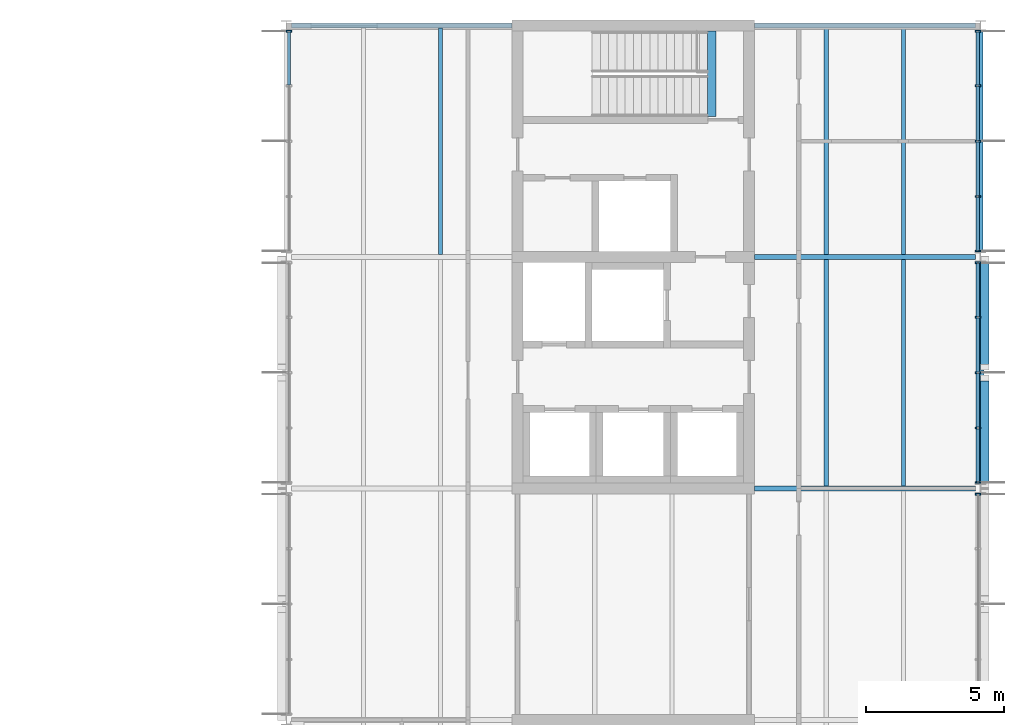
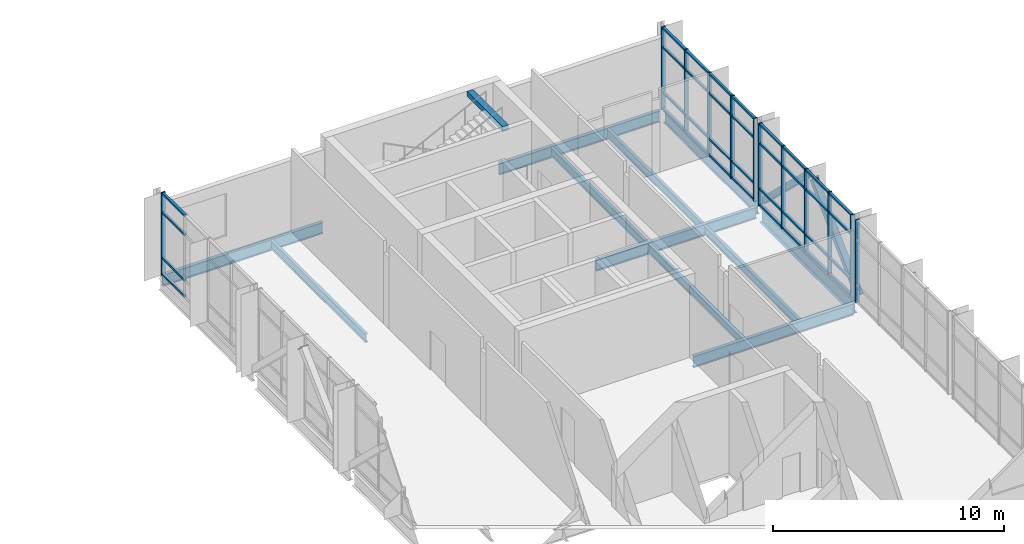
# One storey, part 6 of 14: 50 members, 12 beams, 4 elements without a shape of their own.
"""IFC4 building model written with IfcOpenShell, lengths in metres."""

from ifc_helpers import new_model, si_unit, direction, frame, origin, origin_2d, place, context, subcontext, project, spatial, rectangle, hollow_rectangle, i_section, extrude, material, material_profile, profile_set, type_object, element, aggregate, save


model = new_model("IFC4")

# Units and contexts
model_context = context("Model", 3, precision=1e-05, world=origin(), true_north=direction((0.0, 1.0)))
body_context = subcontext(model_context, "Body", "Model", "MODEL_VIEW")
ifc_project = project(units=[si_unit("LENGTHUNIT", "METRE"), si_unit("AREAUNIT", "SQUARE_METRE"), si_unit("VOLUMEUNIT", "CUBIC_METRE"), si_unit("PLANEANGLEUNIT", "RADIAN"), si_unit("MASSUNIT", "GRAM", prefix="KILO")], contexts=[model_context])

# Site, building, storey
site_placement = place(None, origin())
site = spatial("IfcSite", under=ifc_project, at=site_placement, CompositionType="ELEMENT")
building_placement = place(site_placement, origin())
building = spatial("IfcBuilding", under=site, at=building_placement, Name="Hlaing Beacon Police Headquarters", CompositionType="ELEMENT")
storey_placement = place(building_placement, frame((0.0, 0.0, 27.89990234375)))
storey = spatial("IfcBuildingStorey", under=building, at=storey_placement, Name="L06", CompositionType="ELEMENT", Elevation=27.89990234375)

# Members
ifc_material_1 = material(Name="Steel ASTM A500 Grade C", Category="steel")
ifc_material_profile_1 = material_profile(ifc_material_1, hollow_rectangle(XDim=0.3046875, YDim=0.3046875, WallThickness=0.009521484375, at=origin_2d()), Name="HSS12x12x3/8")
ifc_profile_set_1 = profile_set([ifc_material_profile_1], Name="Steel ASTM A500 Grade C")
member_type_1 = type_object("IfcMemberType", Name="Chevron brace HSS12x12x3/8", PredefinedType="BRACE", material=ifc_profile_set_1)
for number, where, z_axis, x_axis, name in (
    (1, (126.156494140625, 50.47802734375, 0.110107421875), (0.0, 0.720186628496, 0.693780383216), (-1.0, 0.0, 0.0), "STR-BR-L06-R7a"),
    (2, (126.156494140625, 58.721923828125, 0.110107421875), (0.0, -0.720186628496, 0.693780383216), (1.0, 0.0, 0.0), "STR-BR-L06-R7b"),
):
    element("IfcMember", number, at=place(storey_placement, frame(where, z_axis=z_axis, x_axis=x_axis)), inside=storey, type_object=member_type_1, Name=name, PredefinedType="BRACE", context=body_context, shape_type="SweptSolid", body=[
        extrude(hollow_rectangle(XDim=0.3046875, YDim=0.3046875, WallThickness=0.009521484375, at=origin_2d()), origin(), (0.0, 0.0, 1.0), 5.445556640625),
    ])

# Beams
ifc_material_2 = material(Name="Steel ASTM A992 Grade 50", Category="steel")
ifc_material_profile_2 = material_profile(ifc_material_2, i_section(OverallWidth=0.177978515625, OverallDepth=0.599365234375, WebThickness=0.010009765625, FlangeThickness=0.012939453125, FilletRadius=0.012939453125, at=origin_2d()), Name="W24x55")
ifc_profile_set_2 = profile_set([ifc_material_profile_2], Name="Steel ASTM A992 Grade 50")
beam_type_1 = type_object("IfcBeamType", Name="Girder W24x55", PredefinedType="BEAM", material=ifc_profile_set_2)
for number, where, z_axis, x_axis, name in (
    (3, (117.800048828125, 50.39990234375, -0.4296875), (1.0, 0.0, 0.0), (0.0, 1.0, 0.0), "STR-BM-L06-GX-Q7-R7"),
    (4, (117.800048828125, 58.800048828125, -0.4296875), (1.0, 0.0, 0.0), (0.0, 1.0, 0.0), "STR-BM-L06-GX-Q8-R8"),
):
    element("IfcBeam", number, at=place(storey_placement, frame(where, z_axis=z_axis, x_axis=x_axis)), inside=storey, type_object=beam_type_1, Name=name, PredefinedType="BEAM", context=body_context, shape_type="SweptSolid", body=[
        extrude(i_section(OverallWidth=0.177978515625, OverallDepth=0.599365234375, WebThickness=0.010009765625, FlangeThickness=0.012939453125, FilletRadius=0.012939453125, at=origin_2d()), origin(), (0.0, 0.0, 1.0), 8.012939453125),
    ])
for number, where, z_axis, x_axis, name in (
    (5, (100.985107421875, 67.199951171875, -0.4296875), (1.0, 0.0, 0.0), (0.0, 1.0, 0.0), "STR-BM-L06-GX-N9-P9"),
    (6, (117.800048828125, 67.199951171875, -0.4296875), (1.0, 0.0, 0.0), (0.0, 1.0, 0.0), "STR-BM-L06-GX-Q9-R9"),
):
    element("IfcBeam", number, at=place(storey_placement, frame(where, z_axis=z_axis, x_axis=x_axis)), inside=storey, type_object=beam_type_1, Name=name, PredefinedType="BEAM", context=body_context, shape_type="SweptSolid", body=[
        extrude(i_section(OverallWidth=0.177978515625, OverallDepth=0.599365234375, WebThickness=0.010009765625, FlangeThickness=0.012939453125, FilletRadius=0.012939453125, at=origin_2d()), origin(), (0.0, 0.0, 1.0), 8.014892578125),
    ])
beam_1_placement = place(storey_placement, frame((126.0, 58.987060546875, -0.4296875), z_axis=(0.0, 1.0, 0.0), x_axis=(-1.0, 0.0, 0.0)))
element("IfcBeam", 7, at=beam_1_placement, inside=storey, type_object=beam_type_1, Name="STR-BM-L06-GY-R8-R9", PredefinedType="BEAM", context=body_context, shape_type="SweptSolid", body=[
    extrude(i_section(OverallWidth=0.177978515625, OverallDepth=0.599365234375, WebThickness=0.010009765625, FlangeThickness=0.012939453125, FilletRadius=0.012939453125, at=origin_2d()), origin(), (0.0, 0.0, 1.0), 8.031005859375),
])
ifc_material_3 = material(Name="Steel ASTM A992 Grade 50", Category="steel")
ifc_material_profile_3 = material_profile(ifc_material_3, i_section(OverallWidth=0.2666015625, OverallDepth=0.75439453125, WebThickness=0.01318359375, FlangeThickness=0.01708984375, FilletRadius=0.0166015625, at=origin_2d()), Name="W30x99")
ifc_profile_set_3 = profile_set([ifc_material_profile_3], Name="Steel ASTM A992 Grade 50")
beam_type_2 = type_object("IfcBeamType", Name="Girder W30x99", PredefinedType="BEAM", material=ifc_profile_set_3)
beam_2_placement = place(storey_placement, frame((126.0, 50.5869140625, -0.507080078125), z_axis=(0.0, 1.0, 0.0), x_axis=(-1.0, 0.0, 0.0)))
element("IfcBeam", 8, at=beam_2_placement, inside=storey, type_object=beam_type_2, Name="STR-BM-L06-GY-R7-R8", PredefinedType="BEAM", context=body_context, shape_type="SweptSolid", body=[
    extrude(i_section(OverallWidth=0.2666015625, OverallDepth=0.75439453125, WebThickness=0.01318359375, FlangeThickness=0.01708984375, FilletRadius=0.0166015625, at=origin_2d()), origin(), (0.0, 0.0, 1.0), 8.026123046875),
])

# Curtain wall, member
ifc_material_4 = material(Name="Aluminium frame with solar control glazing", Category="aluminium")
curtain_wall_type = type_object("IfcCurtainWallType", Name="Unitised curtain wall 8.04 x 4.37", PredefinedType="NOTDEFINED", material=ifc_material_4)
curtain_wall_1_placement = place(storey_placement, origin())
curtain_wall_1 = element("IfcCurtainWall", 9, at=curtain_wall_1_placement, inside=storey, type_object=curtain_wall_type, Name="ENV-CW-L06-E002", PredefinedType="NOTDEFINED")
ifc_material_5 = material(Name="Aluminium", Category="aluminium")
ifc_material_profile_4 = material_profile(ifc_material_5, rectangle(XDim=0.199951171875, YDim=0.06005859375, at=origin_2d()), Name="Mullion 60x200")
ifc_profile_set_4 = profile_set([ifc_material_profile_4], Name="Aluminium")
member_type_2 = type_object("IfcMemberType", Name="Mullion 60x200", PredefinedType="MULLION", material=ifc_profile_set_4)
member_1_placement = place(storey_placement, frame((125.89990234375, 50.1884765625, 0.0), z_axis=(0.0, 0.0, 1.0), x_axis=(-1.0, 0.0, 0.0)))
member_1 = element("IfcMember", 10, at=member_1_placement, type_object=member_type_2, Name="CW-L06-E002 mullion 5", PredefinedType="MULLION", context=body_context, shape_type="SweptSolid", body=[
    extrude(rectangle(XDim=0.199951171875, YDim=0.06005859375, at=origin_2d()), origin(), (0.0, 0.0, 1.0), 4.3701171875),
])
aggregate(curtain_wall_1, [member_1])

# Curtain wall, members
curtain_wall_2_placement = place(storey_placement, origin())
curtain_wall_2 = element("IfcCurtainWall", 11, at=curtain_wall_2_placement, inside=storey, type_object=curtain_wall_type, Name="ENV-CW-L06-E003", PredefinedType="NOTDEFINED")
member_2_placement = place(storey_placement, frame((125.89990234375, 50.611572265625, 0.0), z_axis=(0.0, 0.0, 1.0), x_axis=(-1.0, 0.0, 0.0)))
member_2 = element("IfcMember", 12, at=member_2_placement, type_object=member_type_2, Name="CW-L06-E003 mullion 1", PredefinedType="MULLION", context=body_context, shape_type="SweptSolid", body=[
    extrude(rectangle(XDim=0.199951171875, YDim=0.06005859375, at=origin_2d()), origin(), (0.0, 0.0, 1.0), 4.3701171875),
])
member_3_placement = place(storey_placement, frame((125.89990234375, 52.5908203125, 0.0), z_axis=(0.0, 0.0, 1.0), x_axis=(-1.0, 0.0, 0.0)))
member_3 = element("IfcMember", 13, at=member_3_placement, type_object=member_type_2, Name="CW-L06-E003 mullion 2", PredefinedType="MULLION", context=body_context, shape_type="SweptSolid", body=[
    extrude(rectangle(XDim=0.199951171875, YDim=0.06005859375, at=origin_2d()), origin(), (0.0, 0.0, 1.0), 4.3701171875),
])
member_4_placement = place(storey_placement, frame((125.89990234375, 54.60009765625, 0.0), z_axis=(0.0, 0.0, 1.0), x_axis=(-1.0, 0.0, 0.0)))
member_4 = element("IfcMember", 14, at=member_4_placement, type_object=member_type_2, Name="CW-L06-E003 mullion 3", PredefinedType="MULLION", context=body_context, shape_type="SweptSolid", body=[
    extrude(rectangle(XDim=0.199951171875, YDim=0.06005859375, at=origin_2d()), origin(), (0.0, 0.0, 1.0), 4.3701171875),
])
member_5_placement = place(storey_placement, frame((125.89990234375, 56.609130859375, 0.0), z_axis=(0.0, 0.0, 1.0), x_axis=(-1.0, 0.0, 0.0)))
member_5 = element("IfcMember", 15, at=member_5_placement, type_object=member_type_2, Name="CW-L06-E003 mullion 4", PredefinedType="MULLION", context=body_context, shape_type="SweptSolid", body=[
    extrude(rectangle(XDim=0.199951171875, YDim=0.06005859375, at=origin_2d()), origin(), (0.0, 0.0, 1.0), 4.3701171875),
])
member_6_placement = place(storey_placement, frame((125.89990234375, 58.58837890625, 0.0), z_axis=(0.0, 0.0, 1.0), x_axis=(-1.0, 0.0, 0.0)))
member_6 = element("IfcMember", 16, at=member_6_placement, type_object=member_type_2, Name="CW-L06-E003 mullion 5", PredefinedType="MULLION", context=body_context, shape_type="SweptSolid", body=[
    extrude(rectangle(XDim=0.199951171875, YDim=0.06005859375, at=origin_2d()), origin(), (0.0, 0.0, 1.0), 4.3701171875),
])

curtain_wall_3_placement = place(storey_placement, origin())
curtain_wall_3 = element("IfcCurtainWall", 17, at=curtain_wall_3_placement, inside=storey, type_object=curtain_wall_type, Name="ENV-CW-L06-E004", PredefinedType="NOTDEFINED")
member_7_placement = place(storey_placement, frame((125.89990234375, 59.01171875, 0.0), z_axis=(0.0, 0.0, 1.0), x_axis=(-1.0, 0.0, 0.0)))
member_7 = element("IfcMember", 18, at=member_7_placement, type_object=member_type_2, Name="CW-L06-E004 mullion 1", PredefinedType="MULLION", context=body_context, shape_type="SweptSolid", body=[
    extrude(rectangle(XDim=0.199951171875, YDim=0.06005859375, at=origin_2d()), origin(), (0.0, 0.0, 1.0), 4.3701171875),
])
member_8_placement = place(storey_placement, frame((125.89990234375, 60.99169921875, 0.0), z_axis=(0.0, 0.0, 1.0), x_axis=(-1.0, 0.0, 0.0)))
member_8 = element("IfcMember", 19, at=member_8_placement, type_object=member_type_2, Name="CW-L06-E004 mullion 2", PredefinedType="MULLION", context=body_context, shape_type="SweptSolid", body=[
    extrude(rectangle(XDim=0.199951171875, YDim=0.06005859375, at=origin_2d()), origin(), (0.0, 0.0, 1.0), 4.3701171875),
])
member_9_placement = place(storey_placement, frame((125.89990234375, 63.001953125, 0.0), z_axis=(0.0, 0.0, 1.0), x_axis=(-1.0, 0.0, 0.0)))
member_9 = element("IfcMember", 20, at=member_9_placement, type_object=member_type_2, Name="CW-L06-E004 mullion 3", PredefinedType="MULLION", context=body_context, shape_type="SweptSolid", body=[
    extrude(rectangle(XDim=0.199951171875, YDim=0.06005859375, at=origin_2d()), origin(), (0.0, 0.0, 1.0), 4.3701171875),
])
member_10_placement = place(storey_placement, frame((125.89990234375, 65.011962890625, 0.0), z_axis=(0.0, 0.0, 1.0), x_axis=(-1.0, 0.0, 0.0)))
member_10 = element("IfcMember", 21, at=member_10_placement, type_object=member_type_2, Name="CW-L06-E004 mullion 4", PredefinedType="MULLION", context=body_context, shape_type="SweptSolid", body=[
    extrude(rectangle(XDim=0.199951171875, YDim=0.06005859375, at=origin_2d()), origin(), (0.0, 0.0, 1.0), 4.3701171875),
])
member_11_placement = place(storey_placement, frame((125.89990234375, 66.9921875, 0.0), z_axis=(0.0, 0.0, 1.0), x_axis=(-1.0, 0.0, 0.0)))
member_11 = element("IfcMember", 22, at=member_11_placement, type_object=member_type_2, Name="CW-L06-E004 mullion 5", PredefinedType="MULLION", context=body_context, shape_type="SweptSolid", body=[
    extrude(rectangle(XDim=0.199951171875, YDim=0.06005859375, at=origin_2d()), origin(), (0.0, 0.0, 1.0), 4.3701171875),
])

# Curtain wall, member
curtain_wall_4_placement = place(storey_placement, origin())
curtain_wall_4 = element("IfcCurtainWall", 23, at=curtain_wall_4_placement, inside=storey, type_object=curtain_wall_type, Name="ENV-CW-L06-W005", PredefinedType="NOTDEFINED")
member_12_placement = place(storey_placement, frame((100.89990234375, 66.9921875, 0.0), z_axis=(0.0, 0.0, 1.0), x_axis=(1.0, 0.0, 0.0)))
member_12 = element("IfcMember", 24, at=member_12_placement, type_object=member_type_2, Name="CW-L06-W005 mullion 1", PredefinedType="MULLION", context=body_context, shape_type="SweptSolid", body=[
    extrude(rectangle(XDim=0.199951171875, YDim=0.06005859375, at=origin_2d()), origin(), (0.0, 0.0, 1.0), 4.3701171875),
])

# Beams
ifc_material_6 = material(Name="Steel ASTM A992 Grade 50", Category="steel")
ifc_material_profile_5 = material_profile(ifc_material_6, i_section(OverallWidth=0.15234375, OverallDepth=0.449462890625, WebThickness=0.007568359375, FlangeThickness=0.0107421875, FilletRadius=0.01025390625, at=origin_2d()), Name="W18x35")
ifc_profile_set_5 = profile_set([ifc_material_profile_5], Name="Steel ASTM A992 Grade 50")
beam_type_3 = type_object("IfcBeamType", Name="Secondary beam W18x35", PredefinedType="BEAM", material=ifc_profile_set_5)
beam_3_placement = place(storey_placement, frame((106.39990234375, 58.888916015625, -0.354736328125), z_axis=(0.0, 1.0, 0.0), x_axis=(-1.0, 0.0, 0.0)))
element("IfcBeam", 25, at=beam_3_placement, inside=storey, type_object=beam_type_3, Name="STR-BM-L06-SB-N8-y2", PredefinedType="BEAM", context=body_context, shape_type="SweptSolid", body=[
    extrude(i_section(OverallWidth=0.15234375, OverallDepth=0.449462890625, WebThickness=0.007568359375, FlangeThickness=0.0107421875, FilletRadius=0.01025390625, at=origin_2d()), origin(), (0.0, 0.0, 1.0), 8.22216796875),
])
for number, where, z_axis, x_axis, name in (
    (26, (120.39990234375, 50.489013671875, -0.354736328125), (0.0, 1.0, 0.0), (-1.0, 0.0, 0.0), "STR-BM-L06-SB-Q7-y1"),
    (27, (123.199951171875, 50.489013671875, -0.354736328125), (0.0, 1.0, 0.0), (-1.0, 0.0, 0.0), "STR-BM-L06-SB-Q7-y2"),
):
    element("IfcBeam", number, at=place(storey_placement, frame(where, z_axis=z_axis, x_axis=x_axis)), inside=storey, type_object=beam_type_3, Name=name, PredefinedType="BEAM", context=body_context, shape_type="SweptSolid", body=[
        extrude(i_section(OverallWidth=0.15234375, OverallDepth=0.449462890625, WebThickness=0.007568359375, FlangeThickness=0.0107421875, FilletRadius=0.01025390625, at=origin_2d()), origin(), (0.0, 0.0, 1.0), 8.221923828125),
    ])
for number, where, z_axis, x_axis, name in (
    (28, (120.39990234375, 58.888916015625, -0.354736328125), (0.0, 1.0, 0.0), (-1.0, 0.0, 0.0), "STR-BM-L06-SB-Q8-y1"),
    (29, (123.199951171875, 58.888916015625, -0.354736328125), (0.0, 1.0, 0.0), (-1.0, 0.0, 0.0), "STR-BM-L06-SB-Q8-y2"),
):
    element("IfcBeam", number, at=place(storey_placement, frame(where, z_axis=z_axis, x_axis=x_axis)), inside=storey, type_object=beam_type_3, Name=name, PredefinedType="BEAM", context=body_context, shape_type="SweptSolid", body=[
        extrude(i_section(OverallWidth=0.15234375, OverallDepth=0.449462890625, WebThickness=0.007568359375, FlangeThickness=0.0107421875, FilletRadius=0.01025390625, at=origin_2d()), origin(), (0.0, 0.0, 1.0), 8.22216796875),
    ])
ifc_material_7 = material(Name="Concrete C40/50", Category="concrete")
ifc_material_profile_6 = material_profile(ifc_material_7, rectangle(XDim=0.300048828125, YDim=0.25, at=origin_2d()), Name="Stair arrival beam 300x250")
ifc_profile_set_6 = profile_set([ifc_material_profile_6], Name="Concrete C40/50")
beam_type_4 = type_object("IfcBeamType", Name="Stair arrival beam 300x250", PredefinedType="BEAM", material=ifc_profile_set_6)
beam_4_placement = place(storey_placement, frame((116.239990234375, 67.0, 4.2451171875), z_axis=(0.0, -1.0, 0.0), x_axis=(1.0, 0.0, 0.0)))
element("IfcBeam", 30, at=beam_4_placement, inside=storey, type_object=beam_type_4, Name="Stair arrival beam ST-M", PredefinedType="BEAM", context=body_context, shape_type="SweptSolid", body=[
    extrude(rectangle(XDim=0.300048828125, YDim=0.25, at=origin_2d()), origin(), (0.0, 0.0, 1.0), 3.10009765625),
])

# Member
ifc_material_8 = material(Name="Aluminium", Category="aluminium")
ifc_material_profile_7 = material_profile(ifc_material_8, rectangle(XDim=0.1201171875, YDim=0.10009765625, at=origin_2d()), Name="Transom 120x100")
ifc_profile_set_7 = profile_set([ifc_material_profile_7], Name="Aluminium")
member_type_3 = type_object("IfcMemberType", Name="Transom 120x100", PredefinedType="USERDEFINED", material=ifc_profile_set_7)
member_13_placement = place(storey_placement, frame((125.89990234375, 50.6416015625, 0.050048828125), z_axis=(0.0, 1.0, 0.0), x_axis=(-1.0, 0.0, 0.0)))
member_13 = element("IfcMember", 31, at=member_13_placement, type_object=member_type_3, Name="CW-L06-E003 transom 1.1", ObjectType="TRANSOM", PredefinedType="USERDEFINED", context=body_context, shape_type="SweptSolid", body=[
    extrude(rectangle(XDim=0.1201171875, YDim=0.10009765625, at=origin_2d()), origin(), (0.0, 0.0, 1.0), 1.919189453125),
])

member_14_placement = place(storey_placement, frame((125.89990234375, 50.6416015625, 0.900146484375), z_axis=(0.0, 1.0, 0.0), x_axis=(-1.0, 0.0, 0.0)))
member_14 = element("IfcMember", 32, at=member_14_placement, type_object=member_type_3, Name="CW-L06-E003 transom 1.2", ObjectType="TRANSOM", PredefinedType="USERDEFINED", context=body_context, shape_type="SweptSolid", body=[
    extrude(rectangle(XDim=0.1201171875, YDim=0.10009765625, at=origin_2d()), origin(), (0.0, 0.0, 1.0), 1.919189453125),
])

member_15_placement = place(storey_placement, frame((125.89990234375, 50.6416015625, 3.300048828125), z_axis=(0.0, 1.0, 0.0), x_axis=(-1.0, 0.0, 0.0)))
member_15 = element("IfcMember", 33, at=member_15_placement, type_object=member_type_3, Name="CW-L06-E003 transom 1.3", ObjectType="TRANSOM", PredefinedType="USERDEFINED", context=body_context, shape_type="SweptSolid", body=[
    extrude(rectangle(XDim=0.1201171875, YDim=0.10009765625, at=origin_2d()), origin(), (0.0, 0.0, 1.0), 1.919189453125),
])

member_16_placement = place(storey_placement, frame((125.89990234375, 50.6416015625, 4.320068359375), z_axis=(0.0, 1.0, 0.0), x_axis=(-1.0, 0.0, 0.0)))
member_16 = element("IfcMember", 34, at=member_16_placement, type_object=member_type_3, Name="CW-L06-E003 transom 1.4", ObjectType="TRANSOM", PredefinedType="USERDEFINED", context=body_context, shape_type="SweptSolid", body=[
    extrude(rectangle(XDim=0.1201171875, YDim=0.10009765625, at=origin_2d()), origin(), (0.0, 0.0, 1.0), 1.919189453125),
])

member_17_placement = place(storey_placement, frame((125.89990234375, 52.620849609375, 0.050048828125), z_axis=(0.0, 1.0, 0.0), x_axis=(-1.0, 0.0, 0.0)))
member_17 = element("IfcMember", 35, at=member_17_placement, type_object=member_type_3, Name="CW-L06-E003 transom 2.1", ObjectType="TRANSOM", PredefinedType="USERDEFINED", context=body_context, shape_type="SweptSolid", body=[
    extrude(rectangle(XDim=0.1201171875, YDim=0.10009765625, at=origin_2d()), origin(), (0.0, 0.0, 1.0), 1.94921875),
])

member_18_placement = place(storey_placement, frame((125.89990234375, 52.620849609375, 0.900146484375), z_axis=(0.0, 1.0, 0.0), x_axis=(-1.0, 0.0, 0.0)))
member_18 = element("IfcMember", 36, at=member_18_placement, type_object=member_type_3, Name="CW-L06-E003 transom 2.2", ObjectType="TRANSOM", PredefinedType="USERDEFINED", context=body_context, shape_type="SweptSolid", body=[
    extrude(rectangle(XDim=0.1201171875, YDim=0.10009765625, at=origin_2d()), origin(), (0.0, 0.0, 1.0), 1.94921875),
])

member_19_placement = place(storey_placement, frame((125.89990234375, 52.620849609375, 3.300048828125), z_axis=(0.0, 1.0, 0.0), x_axis=(-1.0, 0.0, 0.0)))
member_19 = element("IfcMember", 37, at=member_19_placement, type_object=member_type_3, Name="CW-L06-E003 transom 2.3", ObjectType="TRANSOM", PredefinedType="USERDEFINED", context=body_context, shape_type="SweptSolid", body=[
    extrude(rectangle(XDim=0.1201171875, YDim=0.10009765625, at=origin_2d()), origin(), (0.0, 0.0, 1.0), 1.94921875),
])

member_20_placement = place(storey_placement, frame((125.89990234375, 52.620849609375, 4.320068359375), z_axis=(0.0, 1.0, 0.0), x_axis=(-1.0, 0.0, 0.0)))
member_20 = element("IfcMember", 38, at=member_20_placement, type_object=member_type_3, Name="CW-L06-E003 transom 2.4", ObjectType="TRANSOM", PredefinedType="USERDEFINED", context=body_context, shape_type="SweptSolid", body=[
    extrude(rectangle(XDim=0.1201171875, YDim=0.10009765625, at=origin_2d()), origin(), (0.0, 0.0, 1.0), 1.94921875),
])

member_21_placement = place(storey_placement, frame((125.89990234375, 54.6298828125, 0.050048828125), z_axis=(0.0, 1.0, 0.0), x_axis=(-1.0, 0.0, 0.0)))
member_21 = element("IfcMember", 39, at=member_21_placement, type_object=member_type_3, Name="CW-L06-E003 transom 3.1", ObjectType="TRANSOM", PredefinedType="USERDEFINED", context=body_context, shape_type="SweptSolid", body=[
    extrude(rectangle(XDim=0.1201171875, YDim=0.10009765625, at=origin_2d()), origin(), (0.0, 0.0, 1.0), 1.94921875),
])

member_22_placement = place(storey_placement, frame((125.89990234375, 54.6298828125, 0.900146484375), z_axis=(0.0, 1.0, 0.0), x_axis=(-1.0, 0.0, 0.0)))
member_22 = element("IfcMember", 40, at=member_22_placement, type_object=member_type_3, Name="CW-L06-E003 transom 3.2", ObjectType="TRANSOM", PredefinedType="USERDEFINED", context=body_context, shape_type="SweptSolid", body=[
    extrude(rectangle(XDim=0.1201171875, YDim=0.10009765625, at=origin_2d()), origin(), (0.0, 0.0, 1.0), 1.94921875),
])

member_23_placement = place(storey_placement, frame((125.89990234375, 54.6298828125, 3.300048828125), z_axis=(0.0, 1.0, 0.0), x_axis=(-1.0, 0.0, 0.0)))
member_23 = element("IfcMember", 41, at=member_23_placement, type_object=member_type_3, Name="CW-L06-E003 transom 3.3", ObjectType="TRANSOM", PredefinedType="USERDEFINED", context=body_context, shape_type="SweptSolid", body=[
    extrude(rectangle(XDim=0.1201171875, YDim=0.10009765625, at=origin_2d()), origin(), (0.0, 0.0, 1.0), 1.94921875),
])

member_24_placement = place(storey_placement, frame((125.89990234375, 54.6298828125, 4.320068359375), z_axis=(0.0, 1.0, 0.0), x_axis=(-1.0, 0.0, 0.0)))
member_24 = element("IfcMember", 42, at=member_24_placement, type_object=member_type_3, Name="CW-L06-E003 transom 3.4", ObjectType="TRANSOM", PredefinedType="USERDEFINED", context=body_context, shape_type="SweptSolid", body=[
    extrude(rectangle(XDim=0.1201171875, YDim=0.10009765625, at=origin_2d()), origin(), (0.0, 0.0, 1.0), 1.94921875),
])

member_25_placement = place(storey_placement, frame((125.89990234375, 56.63916015625, 0.050048828125), z_axis=(0.0, 1.0, 0.0), x_axis=(-1.0, 0.0, 0.0)))
member_25 = element("IfcMember", 43, at=member_25_placement, type_object=member_type_3, Name="CW-L06-E003 transom 4.1", ObjectType="TRANSOM", PredefinedType="USERDEFINED", context=body_context, shape_type="SweptSolid", body=[
    extrude(rectangle(XDim=0.1201171875, YDim=0.10009765625, at=origin_2d()), origin(), (0.0, 0.0, 1.0), 1.919189453125),
])

member_26_placement = place(storey_placement, frame((125.89990234375, 56.63916015625, 0.900146484375), z_axis=(0.0, 1.0, 0.0), x_axis=(-1.0, 0.0, 0.0)))
member_26 = element("IfcMember", 44, at=member_26_placement, type_object=member_type_3, Name="CW-L06-E003 transom 4.2", ObjectType="TRANSOM", PredefinedType="USERDEFINED", context=body_context, shape_type="SweptSolid", body=[
    extrude(rectangle(XDim=0.1201171875, YDim=0.10009765625, at=origin_2d()), origin(), (0.0, 0.0, 1.0), 1.919189453125),
])

member_27_placement = place(storey_placement, frame((125.89990234375, 56.63916015625, 3.300048828125), z_axis=(0.0, 1.0, 0.0), x_axis=(-1.0, 0.0, 0.0)))
member_27 = element("IfcMember", 45, at=member_27_placement, type_object=member_type_3, Name="CW-L06-E003 transom 4.3", ObjectType="TRANSOM", PredefinedType="USERDEFINED", context=body_context, shape_type="SweptSolid", body=[
    extrude(rectangle(XDim=0.1201171875, YDim=0.10009765625, at=origin_2d()), origin(), (0.0, 0.0, 1.0), 1.919189453125),
])

member_28_placement = place(storey_placement, frame((125.89990234375, 56.63916015625, 4.320068359375), z_axis=(0.0, 1.0, 0.0), x_axis=(-1.0, 0.0, 0.0)))
member_28 = element("IfcMember", 46, at=member_28_placement, type_object=member_type_3, Name="CW-L06-E003 transom 4.4", ObjectType="TRANSOM", PredefinedType="USERDEFINED", context=body_context, shape_type="SweptSolid", body=[
    extrude(rectangle(XDim=0.1201171875, YDim=0.10009765625, at=origin_2d()), origin(), (0.0, 0.0, 1.0), 1.919189453125),
])

aggregate(curtain_wall_2, [member_2, member_3, member_4, member_5, member_6, member_13, member_14, member_15, member_16, member_17, member_18, member_19, member_20, member_21, member_22, member_23, member_24, member_25, member_26, member_27, member_28])

member_29_placement = place(storey_placement, frame((125.89990234375, 59.04150390625, 0.050048828125), z_axis=(0.0, 1.0, 0.0), x_axis=(-1.0, 0.0, 0.0)))
member_29 = element("IfcMember", 47, at=member_29_placement, type_object=member_type_3, Name="CW-L06-E004 transom 1.1", ObjectType="TRANSOM", PredefinedType="USERDEFINED", context=body_context, shape_type="SweptSolid", body=[
    extrude(rectangle(XDim=0.1201171875, YDim=0.10009765625, at=origin_2d()), origin(), (0.0, 0.0, 1.0), 1.920166015625),
])

member_30_placement = place(storey_placement, frame((125.89990234375, 59.04150390625, 0.900146484375), z_axis=(0.0, 1.0, 0.0), x_axis=(-1.0, 0.0, 0.0)))
member_30 = element("IfcMember", 48, at=member_30_placement, type_object=member_type_3, Name="CW-L06-E004 transom 1.2", ObjectType="TRANSOM", PredefinedType="USERDEFINED", context=body_context, shape_type="SweptSolid", body=[
    extrude(rectangle(XDim=0.1201171875, YDim=0.10009765625, at=origin_2d()), origin(), (0.0, 0.0, 1.0), 1.920166015625),
])

member_31_placement = place(storey_placement, frame((125.89990234375, 59.04150390625, 3.300048828125), z_axis=(0.0, 1.0, 0.0), x_axis=(-1.0, 0.0, 0.0)))
member_31 = element("IfcMember", 49, at=member_31_placement, type_object=member_type_3, Name="CW-L06-E004 transom 1.3", ObjectType="TRANSOM", PredefinedType="USERDEFINED", context=body_context, shape_type="SweptSolid", body=[
    extrude(rectangle(XDim=0.1201171875, YDim=0.10009765625, at=origin_2d()), origin(), (0.0, 0.0, 1.0), 1.920166015625),
])

member_32_placement = place(storey_placement, frame((125.89990234375, 59.04150390625, 4.320068359375), z_axis=(0.0, 1.0, 0.0), x_axis=(-1.0, 0.0, 0.0)))
member_32 = element("IfcMember", 50, at=member_32_placement, type_object=member_type_3, Name="CW-L06-E004 transom 1.4", ObjectType="TRANSOM", PredefinedType="USERDEFINED", context=body_context, shape_type="SweptSolid", body=[
    extrude(rectangle(XDim=0.1201171875, YDim=0.10009765625, at=origin_2d()), origin(), (0.0, 0.0, 1.0), 1.920166015625),
])

member_33_placement = place(storey_placement, frame((125.89990234375, 61.021728515625, 0.050048828125), z_axis=(0.0, 1.0, 0.0), x_axis=(-1.0, 0.0, 0.0)))
member_33 = element("IfcMember", 51, at=member_33_placement, type_object=member_type_3, Name="CW-L06-E004 transom 2.1", ObjectType="TRANSOM", PredefinedType="USERDEFINED", context=body_context, shape_type="SweptSolid", body=[
    extrude(rectangle(XDim=0.1201171875, YDim=0.10009765625, at=origin_2d()), origin(), (0.0, 0.0, 1.0), 1.9501953125),
])

member_34_placement = place(storey_placement, frame((125.89990234375, 61.021728515625, 0.900146484375), z_axis=(0.0, 1.0, 0.0), x_axis=(-1.0, 0.0, 0.0)))
member_34 = element("IfcMember", 52, at=member_34_placement, type_object=member_type_3, Name="CW-L06-E004 transom 2.2", ObjectType="TRANSOM", PredefinedType="USERDEFINED", context=body_context, shape_type="SweptSolid", body=[
    extrude(rectangle(XDim=0.1201171875, YDim=0.10009765625, at=origin_2d()), origin(), (0.0, 0.0, 1.0), 1.9501953125),
])

member_35_placement = place(storey_placement, frame((125.89990234375, 61.021728515625, 3.300048828125), z_axis=(0.0, 1.0, 0.0), x_axis=(-1.0, 0.0, 0.0)))
member_35 = element("IfcMember", 53, at=member_35_placement, type_object=member_type_3, Name="CW-L06-E004 transom 2.3", ObjectType="TRANSOM", PredefinedType="USERDEFINED", context=body_context, shape_type="SweptSolid", body=[
    extrude(rectangle(XDim=0.1201171875, YDim=0.10009765625, at=origin_2d()), origin(), (0.0, 0.0, 1.0), 1.9501953125),
])

member_36_placement = place(storey_placement, frame((125.89990234375, 61.021728515625, 4.320068359375), z_axis=(0.0, 1.0, 0.0), x_axis=(-1.0, 0.0, 0.0)))
member_36 = element("IfcMember", 54, at=member_36_placement, type_object=member_type_3, Name="CW-L06-E004 transom 2.4", ObjectType="TRANSOM", PredefinedType="USERDEFINED", context=body_context, shape_type="SweptSolid", body=[
    extrude(rectangle(XDim=0.1201171875, YDim=0.10009765625, at=origin_2d()), origin(), (0.0, 0.0, 1.0), 1.9501953125),
])

member_37_placement = place(storey_placement, frame((125.89990234375, 63.031982421875, 0.050048828125), z_axis=(0.0, 1.0, 0.0), x_axis=(-1.0, 0.0, 0.0)))
member_37 = element("IfcMember", 55, at=member_37_placement, type_object=member_type_3, Name="CW-L06-E004 transom 3.1", ObjectType="TRANSOM", PredefinedType="USERDEFINED", context=body_context, shape_type="SweptSolid", body=[
    extrude(rectangle(XDim=0.1201171875, YDim=0.10009765625, at=origin_2d()), origin(), (0.0, 0.0, 1.0), 1.949951171875),
])

member_38_placement = place(storey_placement, frame((125.89990234375, 63.031982421875, 0.900146484375), z_axis=(0.0, 1.0, 0.0), x_axis=(-1.0, 0.0, 0.0)))
member_38 = element("IfcMember", 56, at=member_38_placement, type_object=member_type_3, Name="CW-L06-E004 transom 3.2", ObjectType="TRANSOM", PredefinedType="USERDEFINED", context=body_context, shape_type="SweptSolid", body=[
    extrude(rectangle(XDim=0.1201171875, YDim=0.10009765625, at=origin_2d()), origin(), (0.0, 0.0, 1.0), 1.949951171875),
])

member_39_placement = place(storey_placement, frame((125.89990234375, 63.031982421875, 3.300048828125), z_axis=(0.0, 1.0, 0.0), x_axis=(-1.0, 0.0, 0.0)))
member_39 = element("IfcMember", 57, at=member_39_placement, type_object=member_type_3, Name="CW-L06-E004 transom 3.3", ObjectType="TRANSOM", PredefinedType="USERDEFINED", context=body_context, shape_type="SweptSolid", body=[
    extrude(rectangle(XDim=0.1201171875, YDim=0.10009765625, at=origin_2d()), origin(), (0.0, 0.0, 1.0), 1.949951171875),
])

member_40_placement = place(storey_placement, frame((125.89990234375, 63.031982421875, 4.320068359375), z_axis=(0.0, 1.0, 0.0), x_axis=(-1.0, 0.0, 0.0)))
member_40 = element("IfcMember", 58, at=member_40_placement, type_object=member_type_3, Name="CW-L06-E004 transom 3.4", ObjectType="TRANSOM", PredefinedType="USERDEFINED", context=body_context, shape_type="SweptSolid", body=[
    extrude(rectangle(XDim=0.1201171875, YDim=0.10009765625, at=origin_2d()), origin(), (0.0, 0.0, 1.0), 1.949951171875),
])

member_41_placement = place(storey_placement, frame((125.89990234375, 65.0419921875, 0.050048828125), z_axis=(0.0, 1.0, 0.0), x_axis=(-1.0, 0.0, 0.0)))
member_41 = element("IfcMember", 59, at=member_41_placement, type_object=member_type_3, Name="CW-L06-E004 transom 4.1", ObjectType="TRANSOM", PredefinedType="USERDEFINED", context=body_context, shape_type="SweptSolid", body=[
    extrude(rectangle(XDim=0.1201171875, YDim=0.10009765625, at=origin_2d()), origin(), (0.0, 0.0, 1.0), 1.920166015625),
])

member_42_placement = place(storey_placement, frame((125.89990234375, 65.0419921875, 0.900146484375), z_axis=(0.0, 1.0, 0.0), x_axis=(-1.0, 0.0, 0.0)))
member_42 = element("IfcMember", 60, at=member_42_placement, type_object=member_type_3, Name="CW-L06-E004 transom 4.2", ObjectType="TRANSOM", PredefinedType="USERDEFINED", context=body_context, shape_type="SweptSolid", body=[
    extrude(rectangle(XDim=0.1201171875, YDim=0.10009765625, at=origin_2d()), origin(), (0.0, 0.0, 1.0), 1.920166015625),
])

member_43_placement = place(storey_placement, frame((125.89990234375, 65.0419921875, 3.300048828125), z_axis=(0.0, 1.0, 0.0), x_axis=(-1.0, 0.0, 0.0)))
member_43 = element("IfcMember", 61, at=member_43_placement, type_object=member_type_3, Name="CW-L06-E004 transom 4.3", ObjectType="TRANSOM", PredefinedType="USERDEFINED", context=body_context, shape_type="SweptSolid", body=[
    extrude(rectangle(XDim=0.1201171875, YDim=0.10009765625, at=origin_2d()), origin(), (0.0, 0.0, 1.0), 1.920166015625),
])

member_44_placement = place(storey_placement, frame((125.89990234375, 65.0419921875, 4.320068359375), z_axis=(0.0, 1.0, 0.0), x_axis=(-1.0, 0.0, 0.0)))
member_44 = element("IfcMember", 62, at=member_44_placement, type_object=member_type_3, Name="CW-L06-E004 transom 4.4", ObjectType="TRANSOM", PredefinedType="USERDEFINED", context=body_context, shape_type="SweptSolid", body=[
    extrude(rectangle(XDim=0.1201171875, YDim=0.10009765625, at=origin_2d()), origin(), (0.0, 0.0, 1.0), 1.920166015625),
])

aggregate(curtain_wall_3, [member_7, member_8, member_9, member_10, member_11, member_29, member_30, member_31, member_32, member_33, member_34, member_35, member_36, member_37, member_38, member_39, member_40, member_41, member_42, member_43, member_44])

member_45_placement = place(storey_placement, frame((100.89990234375, 66.962158203125, 0.050048828125), z_axis=(0.0, -1.0, 0.0), x_axis=(1.0, 0.0, 0.0)))
member_45 = element("IfcMember", 63, at=member_45_placement, type_object=member_type_3, Name="CW-L06-W005 transom 1.1", ObjectType="TRANSOM", PredefinedType="USERDEFINED", context=body_context, shape_type="SweptSolid", body=[
    extrude(rectangle(XDim=0.1201171875, YDim=0.10009765625, at=origin_2d()), origin(), (0.0, 0.0, 1.0), 1.920166015625),
])

member_46_placement = place(storey_placement, frame((100.89990234375, 66.962158203125, 0.900146484375), z_axis=(0.0, -1.0, 0.0), x_axis=(1.0, 0.0, 0.0)))
member_46 = element("IfcMember", 64, at=member_46_placement, type_object=member_type_3, Name="CW-L06-W005 transom 1.2", ObjectType="TRANSOM", PredefinedType="USERDEFINED", context=body_context, shape_type="SweptSolid", body=[
    extrude(rectangle(XDim=0.1201171875, YDim=0.10009765625, at=origin_2d()), origin(), (0.0, 0.0, 1.0), 1.920166015625),
])

member_47_placement = place(storey_placement, frame((100.89990234375, 66.962158203125, 3.300048828125), z_axis=(0.0, -1.0, 0.0), x_axis=(1.0, 0.0, 0.0)))
member_47 = element("IfcMember", 65, at=member_47_placement, type_object=member_type_3, Name="CW-L06-W005 transom 1.3", ObjectType="TRANSOM", PredefinedType="USERDEFINED", context=body_context, shape_type="SweptSolid", body=[
    extrude(rectangle(XDim=0.1201171875, YDim=0.10009765625, at=origin_2d()), origin(), (0.0, 0.0, 1.0), 1.920166015625),
])

member_48_placement = place(storey_placement, frame((100.89990234375, 66.962158203125, 4.320068359375), z_axis=(0.0, -1.0, 0.0), x_axis=(1.0, 0.0, 0.0)))
member_48 = element("IfcMember", 66, at=member_48_placement, type_object=member_type_3, Name="CW-L06-W005 transom 1.4", ObjectType="TRANSOM", PredefinedType="USERDEFINED", context=body_context, shape_type="SweptSolid", body=[
    extrude(rectangle(XDim=0.1201171875, YDim=0.10009765625, at=origin_2d()), origin(), (0.0, 0.0, 1.0), 1.920166015625),
])

aggregate(curtain_wall_4, [member_12, member_45, member_46, member_47, member_48])

save(model, "model.ifc")
